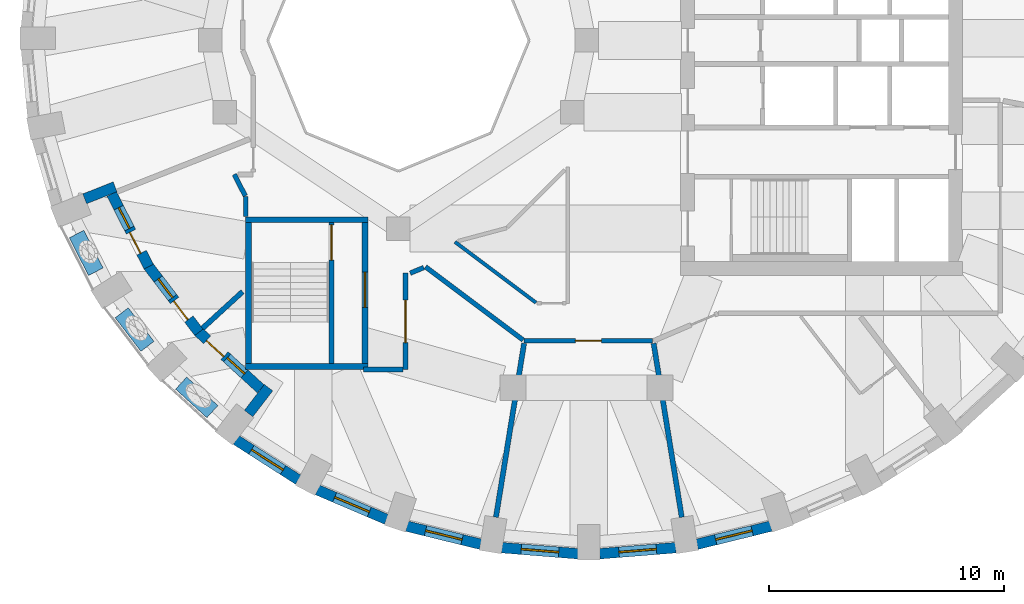
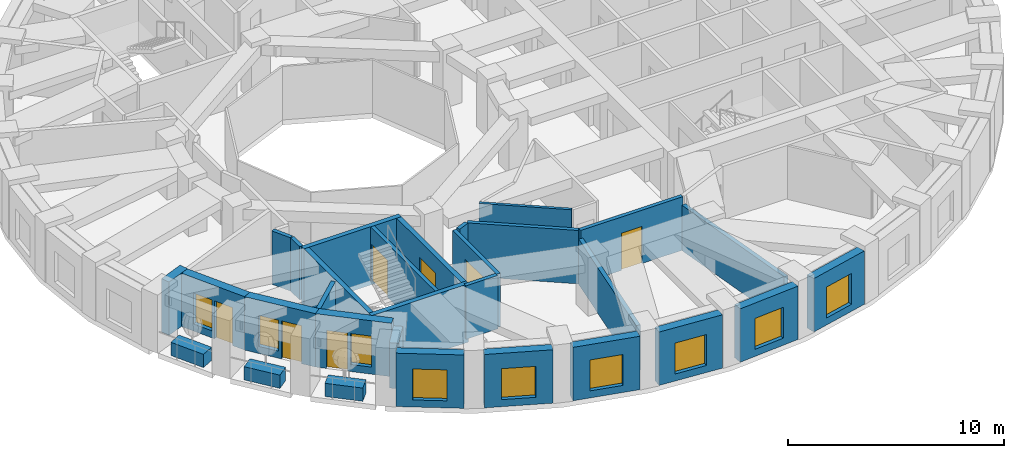
# One storey, part 3 of 11: 30 walls, 9 windows, 7 doors, 16 openings.
"""IFC4 building model written with IfcOpenShell, lengths in metres."""

from ifc_helpers import new_model, si_unit, direction, frame, frame_2d, origin, place, context, subcontext, project, spatial, rectangle, extrude, material, layer, layer_set, constituent, constituent_set, type_object, element, fill, save


model = new_model("IFC4")

# Units and contexts
model_context = context("Model", 3, precision=1e-05, world=origin(), true_north=direction((0.0, 1.0)))
body_context = subcontext(model_context, "Body", "Model", "MODEL_VIEW")
ifc_project = project(units=[si_unit("LENGTHUNIT", "METRE"), si_unit("AREAUNIT", "SQUARE_METRE"), si_unit("VOLUMEUNIT", "CUBIC_METRE"), si_unit("PLANEANGLEUNIT", "RADIAN"), si_unit("MASSUNIT", "GRAM", prefix="KILO")], contexts=[model_context])

# Site, building, storey
site_placement = place(None, origin())
site = spatial("IfcSite", under=ifc_project, at=site_placement, CompositionType="ELEMENT")
building_placement = place(site_placement, origin())
building = spatial("IfcBuilding", under=site, at=building_placement, Name="Taillehof Tower", CompositionType="ELEMENT")
storey_placement = place(building_placement, frame((0.0, 0.0, 178.10009765625)))
storey = spatial("IfcBuildingStorey", under=building, at=storey_placement, Name="L50", CompositionType="ELEMENT", Elevation=178.10009765625)

# Wall, opening, window
ifc_material_1 = material(Name="Brick masonry", Category="masonry")
ifc_layer_1 = layer(ifc_material_1, 0.449951171875)
ifc_layer_set_1 = layer_set([ifc_layer_1], Name="Brick infill wall 450")
wall_type_1 = type_object("IfcWallType", Name="Brick infill wall 450", PredefinedType="SOLIDWALL", material=ifc_layer_set_1)
wall_1_placement = place(storey_placement, frame((-14.908447265625, -16.993408203125, 0.0), z_axis=(0.0, 0.0, 1.0), x_axis=(0.842065914439, -0.539374633943, 0.0)))
wall_1 = element("IfcWall", 1, at=wall_1_placement, inside=storey, type_object=wall_type_1, Name="Brick wall L50 bay 24", PredefinedType="SOLIDWALL", context=body_context, shape_type="SweptSolid", body=[
    extrude(rectangle(XDim=3.1513671875, YDim=0.449951171875, at=frame_2d((1.57568359375, 0.0))), origin(), (0.0, 0.0, 1.0), 3.02001953125),
])
opening_1_placement = place(wall_1_placement, frame((0.775634765625, 0.0, 0.39990234375)))
opening_1 = element("IfcOpeningElement", 2, at=opening_1_placement, cuts=wall_1, Name="Opening W3", PredefinedType="OPENING", context=body_context, shape_type="SweptSolid", body=[
    extrude(rectangle(XDim=1.60009765625, YDim=1.75, at=frame_2d((0.800048828125, 0.875))), frame((0.0, 0.23486328125, 0.0), z_axis=(0.0, -1.0, 0.0), x_axis=(1.0, 0.0, 0.0)), (0.0, 0.0, 1.0), 0.469970703125),
])
ifc_material_2 = material(Name="Aluminium window frame with clear double glazing", Category="aluminium")
window_type_1 = type_object("IfcWindowType", Name="Deep-set window 1600x1750", PartitioningType="SINGLE_PANEL", PredefinedType="WINDOW", material=ifc_material_2)
window_1_placement = place(opening_1_placement, origin())
window_1 = element("IfcWindow", 3, at=window_1_placement, inside=storey, type_object=window_type_1, Name="W3", OverallHeight=1.75, OverallWidth=1.60009765625, PartitioningType="SINGLE_PANEL", PredefinedType="WINDOW", context=body_context, shape_type="SweptSolid", body=[
    extrude(rectangle(XDim=1.60009765625, YDim=1.75, at=frame_2d((0.800048828125, 0.875))), frame((0.0, 0.034912109375, 0.0), z_axis=(0.0, -1.0, 0.0), x_axis=(1.0, 0.0, 0.0)), (0.0, 0.0, 1.0), 0.06005859375),
])
fill(opening_1, window_1)

wall_2_placement = place(storey_placement, frame((-11.4501953125, -19.11865234375, 0.0), z_axis=(0.0, 0.0, 1.0), x_axis=(0.919798725687, -0.392390499663, 0.0)))
wall_2 = element("IfcWall", 4, at=wall_2_placement, inside=storey, type_object=wall_type_1, Name="Brick wall L50 bay 25", PredefinedType="SOLIDWALL", context=body_context, shape_type="SweptSolid", body=[
    extrude(rectangle(XDim=3.200439453125, YDim=0.449951171875, at=frame_2d((1.60009765625, 0.0))), origin(), (0.0, 0.0, 1.0), 3.02001953125),
])
opening_2_placement = place(wall_2_placement, frame((0.80029296875, 0.0, 0.39990234375)))
opening_2 = element("IfcOpeningElement", 5, at=opening_2_placement, cuts=wall_2, Name="Opening W3", PredefinedType="OPENING", context=body_context, shape_type="SweptSolid", body=[
    extrude(rectangle(XDim=1.60009765625, YDim=1.75, at=frame_2d((0.800048828125, 0.875))), frame((0.0, 0.23486328125, 0.0), z_axis=(0.0, -1.0, 0.0), x_axis=(1.0, 0.0, 0.0)), (0.0, 0.0, 1.0), 0.469970703125),
])
window_2_placement = place(opening_2_placement, origin())
window_2 = element("IfcWindow", 6, at=window_2_placement, inside=storey, type_object=window_type_1, Name="W3", OverallHeight=1.75, OverallWidth=1.60009765625, PartitioningType="SINGLE_PANEL", PredefinedType="WINDOW", context=body_context, shape_type="SweptSolid", body=[
    extrude(rectangle(XDim=1.60009765625, YDim=1.75, at=frame_2d((0.800048828125, 0.875))), frame((0.0, 0.034912109375, 0.0), z_axis=(0.0, -1.0, 0.0), x_axis=(1.0, 0.0, 0.0)), (0.0, 0.0, 1.0), 0.06005859375),
])
fill(opening_2, window_2)

wall_3_placement = place(storey_placement, frame((-7.642822265625, -20.662353515625, 0.0), z_axis=(0.0, 0.0, 1.0), x_axis=(0.971232901476, -0.238131583563, 0.0)))
wall_3 = element("IfcWall", 7, at=wall_3_placement, inside=storey, type_object=wall_type_1, Name="Brick wall L50 bay 26", PredefinedType="SOLIDWALL", context=body_context, shape_type="SweptSolid", body=[
    extrude(rectangle(XDim=3.236572265625, YDim=0.449951171875, at=frame_2d((1.6181640625, 0.0))), origin(), (0.0, 0.0, 1.0), 3.02001953125),
])
opening_3_placement = place(wall_3_placement, frame((0.818359375, 0.0, 0.39990234375)))
opening_3 = element("IfcOpeningElement", 8, at=opening_3_placement, cuts=wall_3, Name="Opening W3", PredefinedType="OPENING", context=body_context, shape_type="SweptSolid", body=[
    extrude(rectangle(XDim=1.60009765625, YDim=1.75, at=frame_2d((0.800048828125, 0.875))), frame((0.0, 0.23486328125, 0.0), z_axis=(0.0, -1.0, 0.0), x_axis=(1.0, 0.0, 0.0)), (0.0, 0.0, 1.0), 0.469970703125),
])
window_3_placement = place(opening_3_placement, origin())
window_3 = element("IfcWindow", 9, at=window_3_placement, inside=storey, type_object=window_type_1, Name="W3", OverallHeight=1.75, OverallWidth=1.60009765625, PartitioningType="SINGLE_PANEL", PredefinedType="WINDOW", context=body_context, shape_type="SweptSolid", body=[
    extrude(rectangle(XDim=1.60009765625, YDim=1.75, at=frame_2d((0.800048828125, 0.875))), frame((0.0, 0.034912109375, 0.0), z_axis=(0.0, -1.0, 0.0), x_axis=(1.0, 0.0, 0.0)), (0.0, 0.0, 1.0), 0.06005859375),
])
fill(opening_3, window_3)

wall_4_placement = place(storey_placement, frame((-3.6005859375, -21.578125, 0.0), z_axis=(0.0, 0.0, 1.0), x_axis=(0.996812416891, -0.079780984773, 0.0)))
wall_4 = element("IfcWall", 10, at=wall_4_placement, inside=storey, type_object=wall_type_1, Name="Brick wall L50 bay 27", PredefinedType="SOLIDWALL", context=body_context, shape_type="SweptSolid", body=[
    extrude(rectangle(XDim=3.256103515625, YDim=0.449951171875, at=frame_2d((1.6279296875, 0.0))), origin(), (0.0, 0.0, 1.0), 3.02001953125),
])
opening_4_placement = place(wall_4_placement, frame((0.827880859375, 0.0, 0.39990234375)))
opening_4 = element("IfcOpeningElement", 11, at=opening_4_placement, cuts=wall_4, Name="Opening W3", PredefinedType="OPENING", context=body_context, shape_type="SweptSolid", body=[
    extrude(rectangle(XDim=1.60009765625, YDim=1.75, at=frame_2d((0.800048828125, 0.875))), frame((0.0, 0.23486328125, 0.0), z_axis=(0.0, -1.0, 0.0), x_axis=(1.0, 0.0, 0.0)), (0.0, 0.0, 1.0), 0.469970703125),
])
window_4_placement = place(opening_4_placement, origin())
window_4 = element("IfcWindow", 12, at=window_4_placement, inside=storey, type_object=window_type_1, Name="W3", OverallHeight=1.75, OverallWidth=1.60009765625, PartitioningType="SINGLE_PANEL", PredefinedType="WINDOW", context=body_context, shape_type="SweptSolid", body=[
    extrude(rectangle(XDim=1.60009765625, YDim=1.75, at=frame_2d((0.800048828125, 0.875))), frame((0.0, 0.034912109375, 0.0), z_axis=(0.0, -1.0, 0.0), x_axis=(1.0, 0.0, 0.0)), (0.0, 0.0, 1.0), 0.06005859375),
])
fill(opening_4, window_4)

wall_5_placement = place(storey_placement, frame((0.55517578125, -21.837890625, 0.0), z_axis=(0.0, 0.0, 1.0), x_axis=(0.996812416891, 0.079780984773, 0.0)))
wall_5 = element("IfcWall", 13, at=wall_5_placement, inside=storey, type_object=wall_type_1, Name="Brick wall L50 bay 28", PredefinedType="SOLIDWALL", context=body_context, shape_type="SweptSolid", body=[
    extrude(rectangle(XDim=3.256103515625, YDim=0.449951171875, at=frame_2d((1.6279296875, 0.0))), origin(), (0.0, 0.0, 1.0), 3.02001953125),
])
opening_5_placement = place(wall_5_placement, frame((0.827880859375, 0.0, 0.39990234375)))
opening_5 = element("IfcOpeningElement", 14, at=opening_5_placement, cuts=wall_5, Name="Opening W3", PredefinedType="OPENING", context=body_context, shape_type="SweptSolid", body=[
    extrude(rectangle(XDim=1.60009765625, YDim=1.75, at=frame_2d((0.800048828125, 0.875))), frame((0.0, 0.23486328125, 0.0), z_axis=(0.0, -1.0, 0.0), x_axis=(1.0, 0.0, 0.0)), (0.0, 0.0, 1.0), 0.469970703125),
])
window_5_placement = place(opening_5_placement, origin())
window_5 = element("IfcWindow", 15, at=window_5_placement, inside=storey, type_object=window_type_1, Name="W3", OverallHeight=1.75, OverallWidth=1.60009765625, PartitioningType="SINGLE_PANEL", PredefinedType="WINDOW", context=body_context, shape_type="SweptSolid", body=[
    extrude(rectangle(XDim=1.60009765625, YDim=1.75, at=frame_2d((0.800048828125, 0.875))), frame((0.0, 0.034912109375, 0.0), z_axis=(0.0, -1.0, 0.0), x_axis=(1.0, 0.0, 0.0)), (0.0, 0.0, 1.0), 0.06005859375),
])
fill(opening_5, window_5)

wall_6_placement = place(storey_placement, frame((4.69921875, -21.43310546875, 0.0), z_axis=(0.0, 0.0, 1.0), x_axis=(0.971237178372, 0.238114139328, 0.0)))
wall_6 = element("IfcWall", 16, at=wall_6_placement, inside=storey, type_object=wall_type_1, Name="Brick wall L50 bay 29", PredefinedType="SOLIDWALL", context=body_context, shape_type="SweptSolid", body=[
    extrude(rectangle(XDim=3.23681640625, YDim=0.449951171875, at=frame_2d((1.618408203125, 0.0))), origin(), (0.0, 0.0, 1.0), 3.02001953125),
])
opening_6_placement = place(wall_6_placement, frame((0.818359375, 0.0, 0.39990234375)))
opening_6 = element("IfcOpeningElement", 17, at=opening_6_placement, cuts=wall_6, Name="Opening W3", PredefinedType="OPENING", context=body_context, shape_type="SweptSolid", body=[
    extrude(rectangle(XDim=1.60009765625, YDim=1.75, at=frame_2d((0.800048828125, 0.875))), frame((0.0, 0.23486328125, 0.0), z_axis=(0.0, -1.0, 0.0), x_axis=(1.0, 0.0, 0.0)), (0.0, 0.0, 1.0), 0.469970703125),
])
window_6_placement = place(opening_6_placement, origin())
window_6 = element("IfcWindow", 18, at=window_6_placement, inside=storey, type_object=window_type_1, Name="W3", OverallHeight=1.75, OverallWidth=1.60009765625, PartitioningType="SINGLE_PANEL", PredefinedType="WINDOW", context=body_context, shape_type="SweptSolid", body=[
    extrude(rectangle(XDim=1.60009765625, YDim=1.75, at=frame_2d((0.800048828125, 0.875))), frame((0.0, 0.034912109375, 0.0), z_axis=(0.0, -1.0, 0.0), x_axis=(1.0, 0.0, 0.0)), (0.0, 0.0, 1.0), 0.06005859375),
])
fill(opening_6, window_6)

# Walls
wall_7_placement = place(storey_placement, frame((-21.34814453125, -6.738037109375, 0.0), z_axis=(0.0, 0.0, 1.0), x_axis=(0.929514600716, 0.368785312961, 0.0)))
element("IfcWall", 19, at=wall_7_placement, inside=storey, type_object=wall_type_1, Name="Brick reveal L50 pocket 6", PredefinedType="SOLIDWALL", context=body_context, shape_type="SweptSolid", body=[
    extrude(rectangle(XDim=1.39013671875, YDim=0.449951171875, at=frame_2d((0.695068359375, 0.0))), origin(), (0.0, 0.0, 1.0), 3.02001953125),
])
wall_8_placement = place(storey_placement, frame((-14.374755859375, -15.87109375, 0.0), z_axis=(0.0, 0.0, 1.0), x_axis=(0.609982261713, 0.792415068253, 0.0)))
element("IfcWall", 20, at=wall_8_placement, inside=storey, type_object=wall_type_1, Name="Brick reveal L50 pocket 6", PredefinedType="SOLIDWALL", context=body_context, shape_type="SweptSolid", body=[
    extrude(rectangle(XDim=1.390380859375, YDim=0.449951171875, at=frame_2d((0.6953125, 0.0))), origin(), (0.0, 0.0, 1.0), 2.56982421875),
])

# Wall, openings, door, window
wall_9_placement = place(storey_placement, frame((-20.19970703125, -6.5244140625, 0.0), z_axis=(0.0, 0.0, 1.0), x_axis=(0.453222057065, -0.891397648073, 0.0)))
wall_9 = element("IfcWall", 21, at=wall_9_placement, inside=storey, type_object=wall_type_1, Name="Brick wall L50 pocket bay 21", PredefinedType="SOLIDWALL", context=body_context, shape_type="SweptSolid", body=[
    extrude(rectangle(XDim=3.472412109375, YDim=0.449951171875, at=frame_2d((1.736328125, 0.0))), origin(), (0.0, 0.0, 1.0), 3.02001953125),
])
opening_7_placement = place(wall_9_placement, frame((0.6611328125, 0.0, 0.39990234375)))
opening_7 = element("IfcOpeningElement", 22, at=opening_7_placement, cuts=wall_9, Name="Opening W5", PredefinedType="OPENING", context=body_context, shape_type="SweptSolid", body=[
    extrude(rectangle(XDim=1.0, YDim=1.75, at=frame_2d((0.5, 0.875))), frame((0.0, 0.23486328125, 0.0), z_axis=(0.0, -1.0, 0.0), x_axis=(1.0, 0.0, 0.0)), (0.0, 0.0, 1.0), 0.469970703125),
])
opening_8_placement = place(wall_9_placement, frame((1.811279296875, 0.0, 0.0)))
opening_8 = element("IfcOpeningElement", 23, at=opening_8_placement, cuts=wall_9, Name="Opening D5091", PredefinedType="OPENING", context=body_context, shape_type="SweptSolid", body=[
    extrude(rectangle(XDim=1.0, YDim=2.14990234375, at=frame_2d((0.5, 1.074951171875))), frame((0.0, 0.23486328125, 0.0), z_axis=(0.0, -1.0, 0.0), x_axis=(1.0, 0.0, 0.0)), (0.0, 0.0, 1.0), 0.469970703125),
])
ifc_material_3 = material(Name="Aluminium door frame with clear double glazing", Category="aluminium")
door_type_1 = type_object("IfcDoorType", Name="Balcony door 1000x2150", OperationType="SINGLE_SWING_RIGHT", PredefinedType="DOOR", material=ifc_material_3)
door_1_placement = place(opening_8_placement, frame((1.0, 0.0, 0.0), z_axis=(0.0, 0.0, 1.0), x_axis=(-1.0, 0.0, 0.0)))
door_1 = element("IfcDoor", 24, at=door_1_placement, inside=storey, type_object=door_type_1, Name="Balcony door L50 bay 21", OperationType="SINGLE_SWING_RIGHT", OverallHeight=2.14990234375, OverallWidth=1.0, PredefinedType="DOOR", context=body_context, shape_type="SweptSolid", body=[
    extrude(rectangle(XDim=1.0, YDim=2.14990234375, at=frame_2d((0.5, 1.074951171875))), frame((0.0, 0.0751953125, 0.0), z_axis=(0.0, -1.0, 0.0), x_axis=(1.0, 0.0, 0.0)), (0.0, 0.0, 1.0), 0.050048828125),
])
fill(opening_8, door_1)
ifc_material_4 = material(Name="Aluminium window frame with clear double glazing", Category="aluminium")
window_type_2 = type_object("IfcWindowType", Name="Fixed window 1000x1750", PartitioningType="SINGLE_PANEL", PredefinedType="WINDOW", material=ifc_material_4)
window_7_placement = place(opening_7_placement, origin())
window_7 = element("IfcWindow", 25, at=window_7_placement, inside=storey, type_object=window_type_2, Name="W5", OverallHeight=1.75, OverallWidth=1.0, PartitioningType="SINGLE_PANEL", PredefinedType="WINDOW", context=body_context, shape_type="SweptSolid", body=[
    extrude(rectangle(XDim=1.0, YDim=1.75, at=frame_2d((0.5, 0.875))), frame((0.0, 0.034912109375, 0.0), z_axis=(0.0, -1.0, 0.0), x_axis=(1.0, 0.0, 0.0)), (0.0, 0.0, 1.0), 0.06005859375),
])
fill(opening_7, window_7)

wall_10_placement = place(storey_placement, frame((-18.647705078125, -9.585205078125, 0.0), z_axis=(0.0, 0.0, 1.0), x_axis=(0.606795400684, -0.794858063876, 0.0)))
wall_10 = element("IfcWall", 26, at=wall_10_placement, inside=storey, type_object=wall_type_1, Name="Brick wall L50 pocket bay 22", PredefinedType="SOLIDWALL", context=body_context, shape_type="SweptSolid", body=[
    extrude(rectangle(XDim=3.558349609375, YDim=0.449951171875, at=frame_2d((1.779296875, 0.0))), origin(), (0.0, 0.0, 1.0), 3.02001953125),
])
opening_9_placement = place(wall_10_placement, frame((0.7041015625, 0.0, 0.39990234375)))
opening_9 = element("IfcOpeningElement", 27, at=opening_9_placement, cuts=wall_10, Name="Opening W5", PredefinedType="OPENING", context=body_context, shape_type="SweptSolid", body=[
    extrude(rectangle(XDim=1.0, YDim=1.75, at=frame_2d((0.5, 0.875))), frame((0.0, 0.23486328125, 0.0), z_axis=(0.0, -1.0, 0.0), x_axis=(1.0, 0.0, 0.0)), (0.0, 0.0, 1.0), 0.469970703125),
])
opening_10_placement = place(wall_10_placement, frame((1.854248046875, 0.0, 0.0)))
opening_10 = element("IfcOpeningElement", 28, at=opening_10_placement, cuts=wall_10, Name="Opening D5092", PredefinedType="OPENING", context=body_context, shape_type="SweptSolid", body=[
    extrude(rectangle(XDim=1.0, YDim=2.14990234375, at=frame_2d((0.5, 1.074951171875))), frame((0.0, 0.23486328125, 0.0), z_axis=(0.0, -1.0, 0.0), x_axis=(1.0, 0.0, 0.0)), (0.0, 0.0, 1.0), 0.469970703125),
])
door_2_placement = place(opening_10_placement, frame((1.0, 0.0, 0.0), z_axis=(0.0, 0.0, 1.0), x_axis=(-1.0, 0.0, 0.0)))
door_2 = element("IfcDoor", 29, at=door_2_placement, inside=storey, type_object=door_type_1, Name="Balcony door L50 bay 22", OperationType="SINGLE_SWING_LEFT", OverallHeight=2.14990234375, OverallWidth=1.0, PredefinedType="DOOR", context=body_context, shape_type="SweptSolid", body=[
    extrude(rectangle(XDim=1.0, YDim=2.14990234375, at=frame_2d((0.5, 1.074951171875))), frame((0.0, 0.0751953125, 0.0), z_axis=(0.0, -1.0, 0.0), x_axis=(1.0, 0.0, 0.0)), (0.0, 0.0, 1.0), 0.050048828125),
])
fill(opening_10, door_2)
window_8_placement = place(opening_9_placement, origin())
window_8 = element("IfcWindow", 30, at=window_8_placement, inside=storey, type_object=window_type_2, Name="W5", OverallHeight=1.75, OverallWidth=1.0, PartitioningType="SINGLE_PANEL", PredefinedType="WINDOW", context=body_context, shape_type="SweptSolid", body=[
    extrude(rectangle(XDim=1.0, YDim=1.75, at=frame_2d((0.5, 0.875))), frame((0.0, 0.034912109375, 0.0), z_axis=(0.0, -1.0, 0.0), x_axis=(1.0, 0.0, 0.0)), (0.0, 0.0, 1.0), 0.06005859375),
])
fill(opening_9, window_8)

wall_11_placement = place(storey_placement, frame((-16.515380859375, -12.38427734375, 0.0), z_axis=(0.0, 0.0, 1.0), x_axis=(0.736968915604, -0.675926636133, 0.0)))
wall_11 = element("IfcWall", 31, at=wall_11_placement, inside=storey, type_object=wall_type_1, Name="Brick wall L50 pocket bay 23", PredefinedType="SOLIDWALL", context=body_context, shape_type="SweptSolid", body=[
    extrude(rectangle(XDim=3.611572265625, YDim=0.449951171875, at=frame_2d((1.8056640625, 0.0))), origin(), (0.0, 0.0, 1.0), 3.02001953125),
])
opening_11_placement = place(wall_11_placement, frame((1.665283203125, 0.0, 0.39990234375)))
opening_11 = element("IfcOpeningElement", 32, at=opening_11_placement, cuts=wall_11, Name="Opening W5", PredefinedType="OPENING", context=body_context, shape_type="SweptSolid", body=[
    extrude(rectangle(XDim=1.0, YDim=1.75, at=frame_2d((0.5, 0.875))), frame((0.0, 0.23486328125, 0.0), z_axis=(0.0, -1.0, 0.0), x_axis=(1.0, 0.0, 0.0)), (0.0, 0.0, 1.0), 0.469970703125),
])
opening_12_placement = place(wall_11_placement, frame((0.515380859375, 0.0, 0.0)))
opening_12 = element("IfcOpeningElement", 33, at=opening_12_placement, cuts=wall_11, Name="Opening D5093", PredefinedType="OPENING", context=body_context, shape_type="SweptSolid", body=[
    extrude(rectangle(XDim=1.0, YDim=2.14990234375, at=frame_2d((0.5, 1.074951171875))), frame((0.0, 0.23486328125, 0.0), z_axis=(0.0, -1.0, 0.0), x_axis=(1.0, 0.0, 0.0)), (0.0, 0.0, 1.0), 0.469970703125),
])
door_3_placement = place(opening_12_placement, origin())
door_3 = element("IfcDoor", 34, at=door_3_placement, inside=storey, type_object=door_type_1, Name="Balcony door L50 bay 23", OperationType="SINGLE_SWING_LEFT", OverallHeight=2.14990234375, OverallWidth=1.0, PredefinedType="DOOR", context=body_context, shape_type="SweptSolid", body=[
    extrude(rectangle(XDim=1.0, YDim=2.14990234375, at=frame_2d((0.5, 1.074951171875))), frame((0.0, -0.02490234375, 0.0), z_axis=(0.0, -1.0, 0.0), x_axis=(1.0, 0.0, 0.0)), (0.0, 0.0, 1.0), 0.050048828125),
])
fill(opening_12, door_3)
window_9_placement = place(opening_11_placement, origin())
window_9 = element("IfcWindow", 35, at=window_9_placement, inside=storey, type_object=window_type_2, Name="W5", OverallHeight=1.75, OverallWidth=1.0, PartitioningType="SINGLE_PANEL", PredefinedType="WINDOW", context=body_context, shape_type="SweptSolid", body=[
    extrude(rectangle(XDim=1.0, YDim=1.75, at=frame_2d((0.5, 0.875))), frame((0.0, 0.034912109375, 0.0), z_axis=(0.0, -1.0, 0.0), x_axis=(1.0, 0.0, 0.0)), (0.0, 0.0, 1.0), 0.06005859375),
])
fill(opening_11, window_9)

# Wall, opening, door
ifc_material_5 = material(Name="Gypsum board on steel studs, two layers each side", Category="steel")
ifc_layer_2 = layer(ifc_material_5, 0.199951171875)
ifc_layer_set_2 = layer_set([ifc_layer_2], Name="Compartment wall corridor 200")
wall_type_2 = type_object("IfcWallType", Name="Compartment wall corridor 200", PredefinedType="PARTITIONING", material=ifc_layer_set_2)
wall_12_placement = place(storey_placement, frame((-7.699951171875, -9.89990234375, 0.0), z_axis=(0.0, 0.0, 1.0), x_axis=(0.0, -1.0, 0.0)))
wall_12 = element("IfcWall", 36, at=wall_12_placement, inside=storey, type_object=wall_type_2, Name="Compartment wall", PredefinedType="PARTITIONING", context=body_context, shape_type="SweptSolid", body=[
    extrude(rectangle(XDim=4.10009765625, YDim=0.199951171875, at=frame_2d((2.050048828125, 0.0))), origin(), (0.0, 0.0, 1.0), 3.02001953125),
])
opening_13_placement = place(wall_12_placement, frame((1.150146484375, 0.0, 0.0)))
opening_13 = element("IfcOpeningElement", 37, at=opening_13_placement, cuts=wall_12, Name="Opening D5048", PredefinedType="OPENING", context=body_context, shape_type="SweptSolid", body=[
    extrude(rectangle(XDim=1.800048828125, YDim=2.10009765625, at=frame_2d((0.89990234375, 1.050048828125))), frame((0.0, 0.10986328125, 0.0), z_axis=(0.0, -1.0, 0.0), x_axis=(1.0, 0.0, 0.0)), (0.0, 0.0, 1.0), 0.219970703125),
])
ifc_material_6 = material(Name="Timber door leaf in steel frame", Category="steel")
door_type_2 = type_object("IfcDoorType", Name="Lounge and meeting room double door EI 30 1800 x 2100", OperationType="SINGLE_SWING_LEFT", PredefinedType="DOOR", material=ifc_material_6)
door_4_placement = place(opening_13_placement, origin())
door_4 = element("IfcDoor", 38, at=door_4_placement, inside=storey, type_object=door_type_2, Name="D5048", OperationType="DOUBLE_DOOR_SINGLE_SWING", OverallHeight=2.10009765625, OverallWidth=1.800048828125, PredefinedType="DOOR", context=body_context, shape_type="SweptSolid", body=[
    extrude(rectangle(XDim=1.800048828125, YDim=2.10009765625, at=frame_2d((0.89990234375, 1.050048828125))), frame((0.0, 0.02490234375, 0.0), z_axis=(0.0, -1.0, 0.0), x_axis=(1.0, 0.0, 0.0)), (0.0, 0.0, 1.0), 0.050048828125),
])
fill(opening_13, door_4)

# Walls
wall_13_placement = place(storey_placement, frame((-7.800048828125, -14.0, 0.0), z_axis=(0.0, 0.0, 1.0), x_axis=(-1.0, 0.0, 0.0)))
element("IfcWall", 39, at=wall_13_placement, inside=storey, type_object=wall_type_2, Name="Compartment wall", PredefinedType="PARTITIONING", context=body_context, shape_type="SweptSolid", body=[
    extrude(rectangle(XDim=1.696044921875, YDim=0.199951171875, at=frame_2d((0.84814453125, 0.0))), origin(), (0.0, 0.0, 1.0), 3.02001953125),
])
wall_14_placement = place(storey_placement, frame((-14.49072265625, -7.49609375, 0.0), z_axis=(0.0, 0.0, 1.0), x_axis=(-0.010931452674, 0.999940249886, 0.0)))
element("IfcWall", 40, at=wall_14_placement, inside=storey, type_object=wall_type_2, Name="Compartment wall", PredefinedType="PARTITIONING", context=body_context, shape_type="SweptSolid", body=[
    extrude(rectangle(XDim=0.8486328125, YDim=0.199951171875, at=frame_2d((0.42431640625, 0.0))), origin(), (0.0, 0.0, 1.0), 3.02001953125),
])
wall_15_placement = place(storey_placement, frame((-14.51806640625, -6.61181640625, 0.0), z_axis=(0.0, 0.0, 1.0), x_axis=(-0.45321774915, 0.891399838375, 0.0)))
element("IfcWall", 41, at=wall_15_placement, inside=storey, type_object=wall_type_2, Name="Compartment wall", PredefinedType="PARTITIONING", context=body_context, shape_type="SweptSolid", body=[
    extrude(rectangle(XDim=1.02294921875, YDim=0.199951171875, at=frame_2d((0.511474609375, 0.0))), origin(), (0.0, 0.0, 1.0), 3.02001953125),
])

# Wall, opening, door
wall_16_placement = place(storey_placement, frame((2.80908203125, -12.779541015625, 0.0), z_axis=(0.0, 0.0, 1.0), x_axis=(-1.0, 0.0, 0.0)))
wall_16 = element("IfcWall", 42, at=wall_16_placement, inside=storey, type_object=wall_type_2, Name="Compartment wall", PredefinedType="PARTITIONING", context=body_context, shape_type="SweptSolid", body=[
    extrude(rectangle(XDim=5.458251953125, YDim=0.199951171875, at=frame_2d((2.72900390625, 0.0))), origin(), (0.0, 0.0, 1.0), 3.02001953125),
])
opening_14_placement = place(wall_16_placement, frame((2.1787109375, 0.0, 0.0)))
opening_14 = element("IfcOpeningElement", 43, at=opening_14_placement, cuts=wall_16, Name="Opening D5049", PredefinedType="OPENING", context=body_context, shape_type="SweptSolid", body=[
    extrude(rectangle(XDim=1.10009765625, YDim=2.10009765625, at=frame_2d((0.550048828125, 1.050048828125))), frame((0.0, 0.10986328125, 0.0), z_axis=(0.0, -1.0, 0.0), x_axis=(1.0, 0.0, 0.0)), (0.0, 0.0, 1.0), 0.219970703125),
])
ifc_material_7 = material(Name="Timber door leaf in steel frame", Category="steel")
door_type_3 = type_object("IfcDoorType", Name="Suite entrance door EI 30 1100 x 2100", OperationType="SINGLE_SWING_LEFT", PredefinedType="DOOR", material=ifc_material_7)
door_5_placement = place(opening_14_placement, origin())
door_5 = element("IfcDoor", 44, at=door_5_placement, inside=storey, type_object=door_type_3, Name="D5049", OperationType="SINGLE_SWING_RIGHT", OverallHeight=2.10009765625, OverallWidth=1.10009765625, PredefinedType="DOOR", context=body_context, shape_type="SweptSolid", body=[
    extrude(rectangle(XDim=1.10009765625, YDim=2.10009765625, at=frame_2d((0.550048828125, 1.050048828125))), frame((0.0, 0.02490234375, 0.0), z_axis=(0.0, -1.0, 0.0), x_axis=(1.0, 0.0, 0.0)), (0.0, 0.0, 1.0), 0.050048828125),
])
fill(opening_14, door_5)

# Walls
wall_17_placement = place(storey_placement, frame((-2.697509765625, -12.74365234375, 0.0), z_axis=(0.0, 0.0, 1.0), x_axis=(-0.800208812098, 0.59972148289, 0.0)))
element("IfcWall", 45, at=wall_17_placement, inside=storey, type_object=wall_type_2, Name="Compartment wall", PredefinedType="PARTITIONING", context=body_context, shape_type="SweptSolid", body=[
    extrude(rectangle(XDim=5.18994140625, YDim=0.199951171875, at=frame_2d((2.594970703125, 0.0))), origin(), (0.0, 0.0, 1.0), 3.02001953125),
])
wall_18_placement = place(storey_placement, frame((-6.9248046875, -9.661376953125, 0.0), z_axis=(0.0, 0.0, 1.0), x_axis=(-0.923725195793, -0.383055821855, 0.0)))
element("IfcWall", 46, at=wall_18_placement, inside=storey, type_object=wall_type_2, Name="Compartment wall", PredefinedType="PARTITIONING", context=body_context, shape_type="SweptSolid", body=[
    extrude(rectangle(XDim=0.622802734375, YDim=0.199951171875, at=frame_2d((0.3115234375, 0.0))), origin(), (0.0, 0.0, 1.0), 3.02001953125),
])
ifc_material_8 = material(Name="Gypsum board on double steel studs with mineral wool", Category="steel")
ifc_layer_3 = layer(ifc_material_8, 0.219970703125)
ifc_layer_set_3 = layer_set([ifc_layer_3], Name="Compartment wall guest room 220")
wall_type_3 = type_object("IfcWallType", Name="Compartment wall guest room 220", PredefinedType="PARTITIONING", material=ifc_layer_set_3)
wall_19_placement = place(storey_placement, frame((-16.333984375, -12.2451171875, 0.0), z_axis=(0.0, 0.0, 1.0), x_axis=(0.737917457379, 0.674890973487, 0.0)))
element("IfcWall", 47, at=wall_19_placement, inside=storey, type_object=wall_type_3, Name="Compartment wall", PredefinedType="PARTITIONING", context=body_context, shape_type="SweptSolid", body=[
    extrude(rectangle(XDim=2.30859375, YDim=0.219970703125, at=frame_2d((1.154296875, 0.0))), origin(), (0.0, 0.0, 1.0), 3.02001953125),
])
for number, where, z_axis, x_axis, name in (
    (48, (-3.852294921875, -20.28369140625, 0.0), (0.0, 0.0, 1.0), (0.159690244465, 0.987167172176, 0.0), "Compartment wall"),
    (49, (4.05224609375, -20.28369140625, 0.0), (0.0, 0.0, 1.0), (-0.159690244465, 0.987167172176, 0.0), "Compartment wall"),
):
    element("IfcWall", number, at=place(storey_placement, frame(where, z_axis=z_axis, x_axis=x_axis)), inside=storey, type_object=wall_type_3, Name=name, PredefinedType="PARTITIONING", context=body_context, shape_type="SweptSolid", body=[
        extrude(rectangle(XDim=7.494384765625, YDim=0.219970703125, at=frame_2d((3.7470703125, 0.0))), origin(), (0.0, 0.0, 1.0), 2.56982421875),
    ])
ifc_material_9 = material(Name="Gypsum board on steel studs, two layers each side", Category="steel")
ifc_layer_4 = layer(ifc_material_9, 0.14990234375)
ifc_layer_set_4 = layer_set([ifc_layer_4], Name="Compartment wall service room 150")
wall_type_4 = type_object("IfcWallType", Name="Compartment wall service room 150", PredefinedType="PARTITIONING", material=ifc_layer_set_4)
wall_20_placement = place(storey_placement, frame((-2.1484375, -11.155517578125, 0.0), z_axis=(0.0, 0.0, 1.0), x_axis=(-0.800210636755, 0.599719048241, 0.0)))
element("IfcWall", 50, at=wall_20_placement, inside=storey, type_object=wall_type_4, Name="Compartment wall", PredefinedType="PARTITIONING", context=body_context, shape_type="SweptSolid", body=[
    extrude(rectangle(XDim=4.310791015625, YDim=0.14990234375, at=frame_2d((2.1552734375, 0.0))), origin(), (0.0, 0.0, 1.0), 3.02001953125),
])
ifc_material_10 = material(Name="Concrete C30/37 precast", Category="concrete")
ifc_constituent_1 = constituent(ifc_material_10, Name="Structure", Category="concrete")
ifc_material_11 = material(Name="Insulated lining")
ifc_constituent_2 = constituent(ifc_material_11, Name="Lining")
ifc_constituent_set = constituent_set(constituents=[ifc_constituent_1, ifc_constituent_2], Name="Planter trough 700x750")
wall_type_5 = type_object("IfcWallType", Name="Planter trough 700x750", PredefinedType="USERDEFINED", material=ifc_constituent_set)
for number, where, z_axis, x_axis, name in (
    (51, (-21.692138671875, -8.2353515625, 0.0), (0.0, 0.0, 1.0), (0.454090347167, -0.890955642336, 0.0), "Planter L50 bay 21"),
    (52, (-19.77197265625, -11.584716796875, 0.0), (0.0, 0.0, 1.0), (0.607762189494, -0.794119084912, 0.0), "Planter L50 bay 22"),
    (53, (-17.24365234375, -14.576416015625, 0.0), (0.0, 0.0, 1.0), (0.737874397391, -0.674938051731, 0.0), "Planter L50 bay 23"),
):
    element("IfcWall", number, at=place(storey_placement, frame(where, z_axis=z_axis, x_axis=x_axis)), inside=storey, type_object=wall_type_5, Name=name, ObjectType="PLANTER", PredefinedType="USERDEFINED", context=body_context, shape_type="SweptSolid", body=[
        extrude(rectangle(XDim=1.800048828125, YDim=0.699951171875, at=frame_2d((0.89990234375, 0.0))), origin(), (0.0, 0.0, 1.0), 0.75),
    ])

# Wall, opening, door
ifc_material_12 = material(Name="Concrete C50/60", Category="concrete")
ifc_layer_5 = layer(ifc_material_12, 0.199951171875)
ifc_layer_set_5 = layer_set([ifc_layer_5], Name="Shaft wall C50/60 200")
wall_type_6 = type_object("IfcWallType", Name="Shaft wall C50/60 200", PredefinedType="SHEAR", material=ifc_layer_set_5)
wall_21_placement = place(storey_placement, frame((-10.85009765625, -13.75, 0.0), z_axis=(0.0, 0.0, 1.0), x_axis=(0.0, 1.0, 0.0)))
wall_21 = element("IfcWall", 54, at=wall_21_placement, inside=storey, type_object=wall_type_6, Name="Shaft wall SW", PredefinedType="SHEAR", context=body_context, shape_type="SweptSolid", body=[
    extrude(rectangle(XDim=6.0, YDim=0.199951171875, at=frame_2d((3.0, 0.0))), origin(), (0.0, 0.0, 1.0), 3.02001953125),
])
opening_15_placement = place(wall_21_placement, frame((4.39990234375, 0.0, 0.0)))
opening_15 = element("IfcOpeningElement", 55, at=opening_15_placement, cuts=wall_21, Name="Opening D5013", PredefinedType="OPENING", context=body_context, shape_type="SweptSolid", body=[
    extrude(rectangle(XDim=1.5, YDim=2.10009765625, at=frame_2d((0.75, 1.050048828125))), frame((0.0, 0.10986328125, 0.0), z_axis=(0.0, -1.0, 0.0), x_axis=(1.0, 0.0, 0.0)), (0.0, 0.0, 1.0), 0.219970703125),
])
ifc_material_13 = material(Name="Steel-faced fire door", Category="steel")
door_type_4 = type_object("IfcDoorType", Name="Stair door 1500x2100", OperationType="DOUBLE_DOOR_SINGLE_SWING", PredefinedType="DOOR", material=ifc_material_13)
door_6_placement = place(opening_15_placement, origin())
door_6 = element("IfcDoor", 56, at=door_6_placement, inside=storey, type_object=door_type_4, Name="Stair lobby door S4", OperationType="DOUBLE_DOOR_SINGLE_SWING", OverallHeight=2.10009765625, OverallWidth=1.5, PredefinedType="DOOR", context=body_context, shape_type="SweptSolid", body=[
    extrude(rectangle(XDim=1.5, YDim=2.10009765625, at=frame_2d((0.75, 1.050048828125))), frame((0.0, 0.02490234375, 0.0), z_axis=(0.0, -1.0, 0.0), x_axis=(1.0, 0.0, 0.0)), (0.0, 0.0, 1.0), 0.050048828125),
])
fill(opening_15, door_6)

# Wall
ifc_material_14 = material(Name="Concrete C50/60", Category="concrete")
ifc_layer_6 = layer(ifc_material_14, 0.25)
ifc_layer_set_6 = layer_set([ifc_layer_6], Name="Stair wall C50/60 250")
wall_type_7 = type_object("IfcWallType", Name="Stair wall C50/60 250", PredefinedType="SHEAR", material=ifc_layer_set_6)
wall_22_placement = place(storey_placement, frame((-14.375, -13.75, -0.280029296875), z_axis=(0.0, 0.0, 1.0), x_axis=(0.0, 1.0, 0.0)))
element("IfcWall", 57, at=wall_22_placement, inside=storey, type_object=wall_type_7, Name="Stair wall SC", PredefinedType="SHEAR", context=body_context, shape_type="SweptSolid", body=[
    extrude(rectangle(XDim=6.0, YDim=0.25, at=frame_2d((3.0, 0.0))), origin(), (0.0, 0.0, 1.0), 3.300048828125),
])

# Wall, opening, door
wall_23_placement = place(storey_placement, frame((-9.425048828125, -13.75, -0.280029296875), z_axis=(0.0, 0.0, 1.0), x_axis=(0.0, 1.0, 0.0)))
wall_23 = element("IfcWall", 58, at=wall_23_placement, inside=storey, type_object=wall_type_7, Name="Stair wall SC", PredefinedType="SHEAR", context=body_context, shape_type="SweptSolid", body=[
    extrude(rectangle(XDim=6.0, YDim=0.25, at=frame_2d((3.0, 0.0))), origin(), (0.0, 0.0, 1.0), 3.300048828125),
])
opening_16_placement = place(wall_23_placement, frame((2.39990234375, 0.0, 0.280029296875)))
opening_16 = element("IfcOpeningElement", 59, at=opening_16_placement, cuts=wall_23, Name="Opening D5016", PredefinedType="OPENING", context=body_context, shape_type="SweptSolid", body=[
    extrude(rectangle(XDim=1.5, YDim=2.10009765625, at=frame_2d((0.75, 1.050048828125))), frame((0.0, 0.135009765625, 0.0), z_axis=(0.0, -1.0, 0.0), x_axis=(1.0, 0.0, 0.0)), (0.0, 0.0, 1.0), 0.27001953125),
])
door_7_placement = place(opening_16_placement, origin())
door_7 = element("IfcDoor", 60, at=door_7_placement, inside=storey, type_object=door_type_4, Name="Stair door S4", OperationType="DOUBLE_DOOR_SINGLE_SWING", OverallHeight=2.10009765625, OverallWidth=1.5, PredefinedType="DOOR", context=body_context, shape_type="SweptSolid", body=[
    extrude(rectangle(XDim=1.5, YDim=2.10009765625, at=frame_2d((0.75, 1.050048828125))), frame((0.0, 0.02490234375, 0.0), z_axis=(0.0, -1.0, 0.0), x_axis=(1.0, 0.0, 0.0)), (0.0, 0.0, 1.0), 0.050048828125),
])
fill(opening_16, door_7)

# Walls
for number, where, z_axis, x_axis, name in (
    (61, (-14.5, -7.625, -0.280029296875), (0.0, 0.0, 1.0), (1.0, 0.0, 0.0), "Stair wall SC"),
    (62, (-14.5, -13.875, -0.280029296875), (0.0, 0.0, 1.0), (1.0, 0.0, 0.0), "Stair wall SC"),
):
    element("IfcWall", number, at=place(storey_placement, frame(where, z_axis=z_axis, x_axis=x_axis)), inside=storey, type_object=wall_type_7, Name=name, PredefinedType="SHEAR", context=body_context, shape_type="SweptSolid", body=[
        extrude(rectangle(XDim=5.199951171875, YDim=0.25, at=frame_2d((2.60009765625, 0.0))), origin(), (0.0, 0.0, 1.0), 3.300048828125),
    ])

save(model, "model.ifc")
